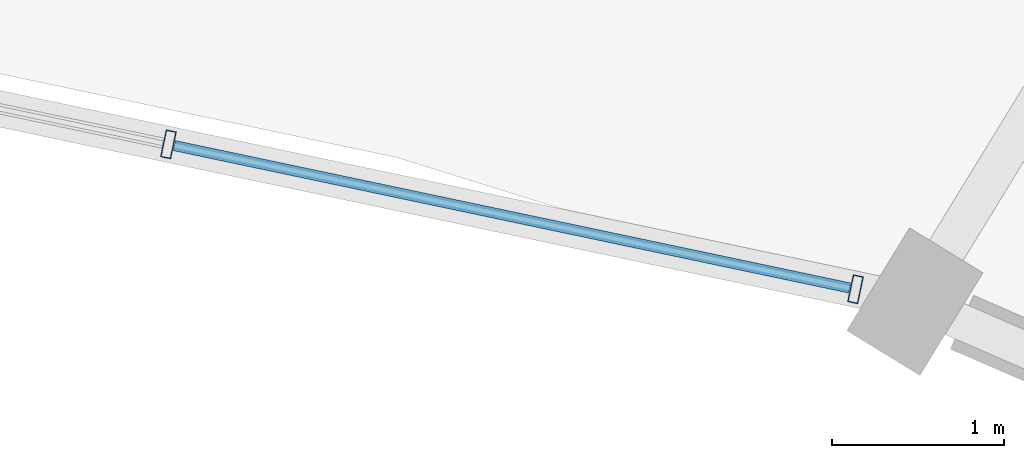
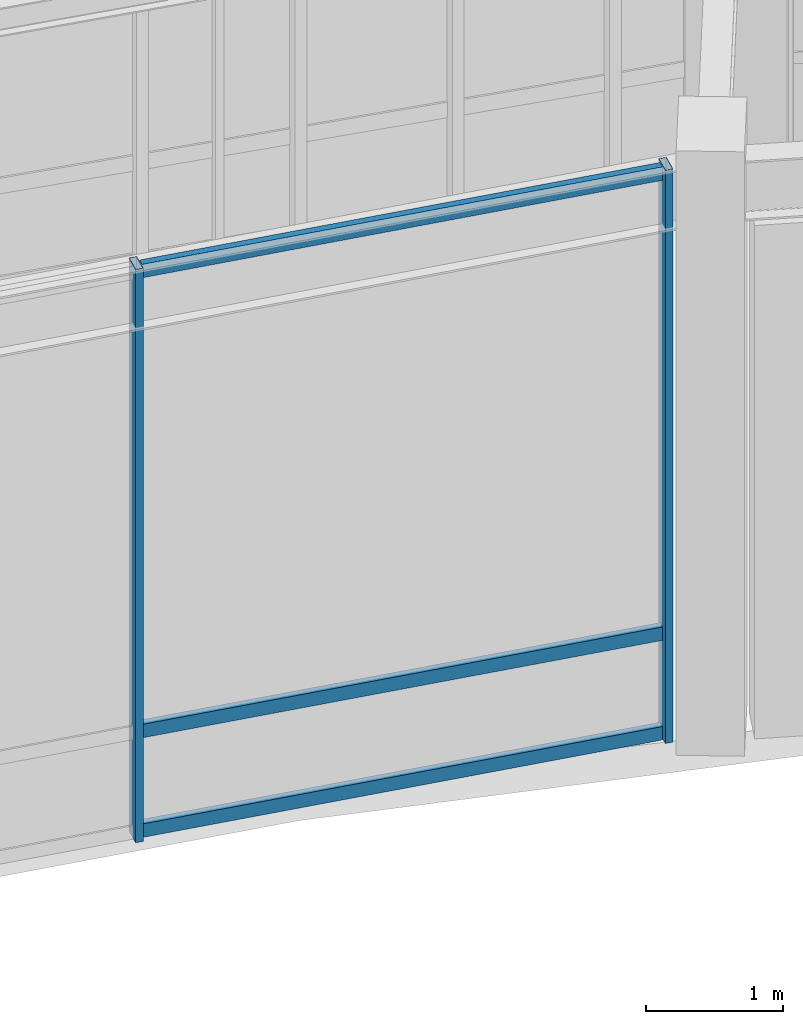
# One storey, part 77 of 157: 5 members, 1 element without a shape of its own.
"""IFC4 building model written with IfcOpenShell, lengths in metres."""

from ifc_helpers import new_model, si_unit, direction, frame, origin, origin_2d, place, context, subcontext, project, spatial, hollow_rectangle, extrude, material, material_profile, profile_set, type_object, element, aggregate, save


model = new_model("IFC4")

# Units and contexts
model_context = context("Model", 3, precision=1e-05, world=origin(), true_north=direction((0.0, 1.0)))
body_context = subcontext(model_context, "Body", "Model", "MODEL_VIEW")
ifc_project = project(units=[si_unit("LENGTHUNIT", "METRE"), si_unit("AREAUNIT", "SQUARE_METRE"), si_unit("VOLUMEUNIT", "CUBIC_METRE"), si_unit("PLANEANGLEUNIT", "RADIAN"), si_unit("MASSUNIT", "GRAM", prefix="KILO"), si_unit("THERMODYNAMICTEMPERATUREUNIT", "KELVIN"), si_unit("POWERUNIT", "WATT")], contexts=[model_context])

# Site, building, storey
site_placement = place(None, origin())
site = spatial("IfcSite", under=ifc_project, at=site_placement, CompositionType="ELEMENT")
building_placement = place(site_placement, origin())
building = spatial("IfcBuilding", under=site, at=building_placement, Name="Darbajah Civic Hall", CompositionType="ELEMENT")
storey_placement = place(building_placement, origin())
storey = spatial("IfcBuildingStorey", under=building, at=storey_placement, Name="L00", CompositionType="ELEMENT", Elevation=0.0)

# Curtain wall, members
ifc_material_1 = material(Name="Anodised Bronze Aluminium and Low-E Glazing", Category="aluminium")
curtain_wall_type = type_object("IfcCurtainWallType", Name="Unitised Curtain Wall CW-04 12200x5100", PredefinedType="USERDEFINED", material=ifc_material_1)
curtain_wall_placement = place(storey_placement, origin())
curtain_wall = element("IfcCurtainWall", 1, at=curtain_wall_placement, inside=storey, type_object=curtain_wall_type, Name="L00 unitised curtain wall CW-V1I-L00-03", ObjectType="UNITISED CURTAIN WALL", PredefinedType="USERDEFINED")
ifc_material_2 = material(Name="Anodised Bronze Aluminium", Category="aluminium")
ifc_material_profile_1 = material_profile(ifc_material_2, hollow_rectangle(XDim=0.06005859375, YDim=0.159912109375, WallThickness=0.00341796875, at=origin_2d()), Name="ALU MULLION 60x160")
ifc_profile_set_1 = profile_set([ifc_material_profile_1], Name="Anodised Bronze Aluminium")
member_type_1 = type_object("IfcMemberType", Name="ALU MULLION 60x160", PredefinedType="MULLION", material=ifc_profile_set_1)
member_1_placement = place(storey_placement, frame((111.64111328125, 108.886474609375, 0.0), z_axis=(0.0, 0.0, 1.0), x_axis=(-0.978472980779, 0.206374964291, 0.0)))
member_1 = element("IfcMember", 2, at=member_1_placement, type_object=member_type_1, Name="CW-V1I-L00-03 mullion 1", PredefinedType="MULLION", context=body_context, shape_type="SweptSolid", body=[
    extrude(hollow_rectangle(XDim=0.06005859375, YDim=0.159912109375, WallThickness=0.00341796875, at=origin_2d()), origin(), (0.0, 0.0, 1.0), 5.1201171875),
])
member_2_placement = place(storey_placement, frame((107.650390625, 109.72802734375, 0.0), z_axis=(0.0, 0.0, 1.0), x_axis=(-0.978472980779, 0.206374964291, 0.0)))
member_2 = element("IfcMember", 3, at=member_2_placement, type_object=member_type_1, Name="CW-V1I-L00-03 mullion 2", PredefinedType="MULLION", context=body_context, shape_type="SweptSolid", body=[
    extrude(hollow_rectangle(XDim=0.06005859375, YDim=0.159912109375, WallThickness=0.00341796875, at=origin_2d()), origin(), (0.0, 0.0, 1.0), 5.1201171875),
])
ifc_material_profile_2 = material_profile(ifc_material_2, hollow_rectangle(XDim=0.06005859375, YDim=0.1201171875, WallThickness=0.003173828125, at=origin_2d()), Name="ALU TRANSOM 60x120")
ifc_profile_set_2 = profile_set([ifc_material_profile_2], Name="Anodised Bronze Aluminium")
member_type_2 = type_object("IfcMemberType", Name="ALU TRANSOM 60x120", PredefinedType="USERDEFINED", material=ifc_profile_set_2)
member_3_placement = place(storey_placement, frame((111.606689453125, 108.893798828125, 0.06005859375), z_axis=(-0.97848705062, 0.20630824455, 0.0), x_axis=(-0.20630824455, -0.97848705062, 0.0)))
member_3 = element("IfcMember", 4, at=member_3_placement, type_object=member_type_2, Name="CW-V1I-L00-03 transom 1.1", ObjectType="TRANSOM", PredefinedType="USERDEFINED", context=body_context, shape_type="SweptSolid", body=[
    extrude(hollow_rectangle(XDim=0.06005859375, YDim=0.1201171875, WallThickness=0.003173828125, at=origin_2d()), origin(), (0.0, 0.0, 1.0), 4.008056640625),
])
member_4_placement = place(storey_placement, frame((111.606689453125, 108.893798828125, 0.949951171875), z_axis=(-0.97848705062, 0.20630824455, 0.0), x_axis=(-0.20630824455, -0.97848705062, 0.0)))
member_4 = element("IfcMember", 5, at=member_4_placement, type_object=member_type_2, Name="CW-V1I-L00-03 transom 1.2", ObjectType="TRANSOM", PredefinedType="USERDEFINED", context=body_context, shape_type="SweptSolid", body=[
    extrude(hollow_rectangle(XDim=0.06005859375, YDim=0.1201171875, WallThickness=0.003173828125, at=origin_2d()), origin(), (0.0, 0.0, 1.0), 4.008056640625),
])
member_5_placement = place(storey_placement, frame((111.606689453125, 108.893798828125, 5.06005859375), z_axis=(-0.97848705062, 0.20630824455, 0.0), x_axis=(-0.20630824455, -0.97848705062, 0.0)))
member_5 = element("IfcMember", 6, at=member_5_placement, type_object=member_type_2, Name="CW-V1I-L00-03 transom 1.3", ObjectType="TRANSOM", PredefinedType="USERDEFINED", context=body_context, shape_type="SweptSolid", body=[
    extrude(hollow_rectangle(XDim=0.06005859375, YDim=0.1201171875, WallThickness=0.003173828125, at=origin_2d()), origin(), (0.0, 0.0, 1.0), 4.008056640625),
])
aggregate(curtain_wall, [member_1, member_2, member_3, member_4, member_5])

save(model, "model.ifc")
